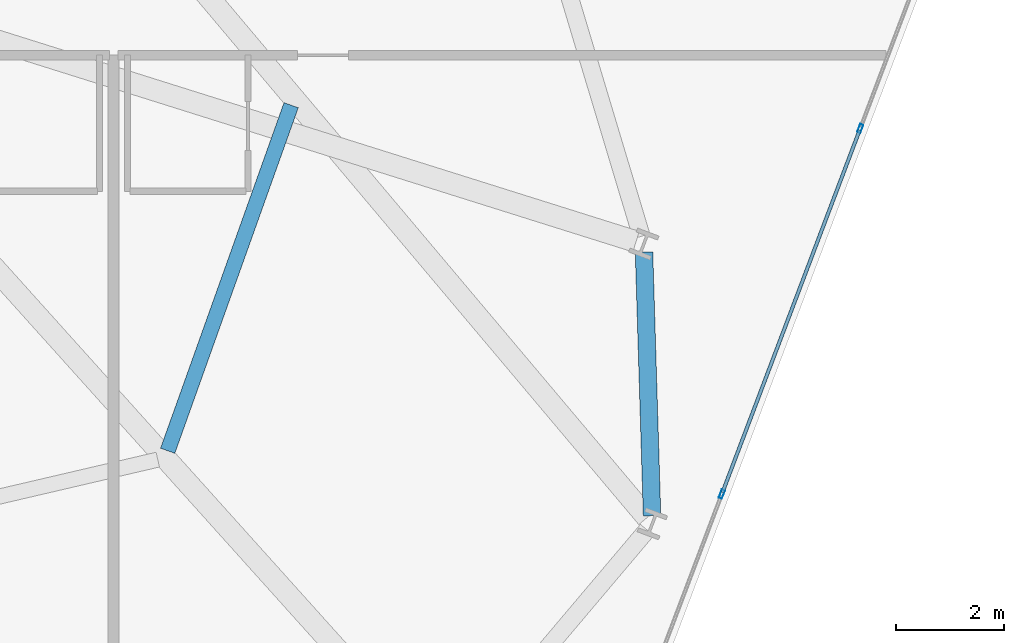
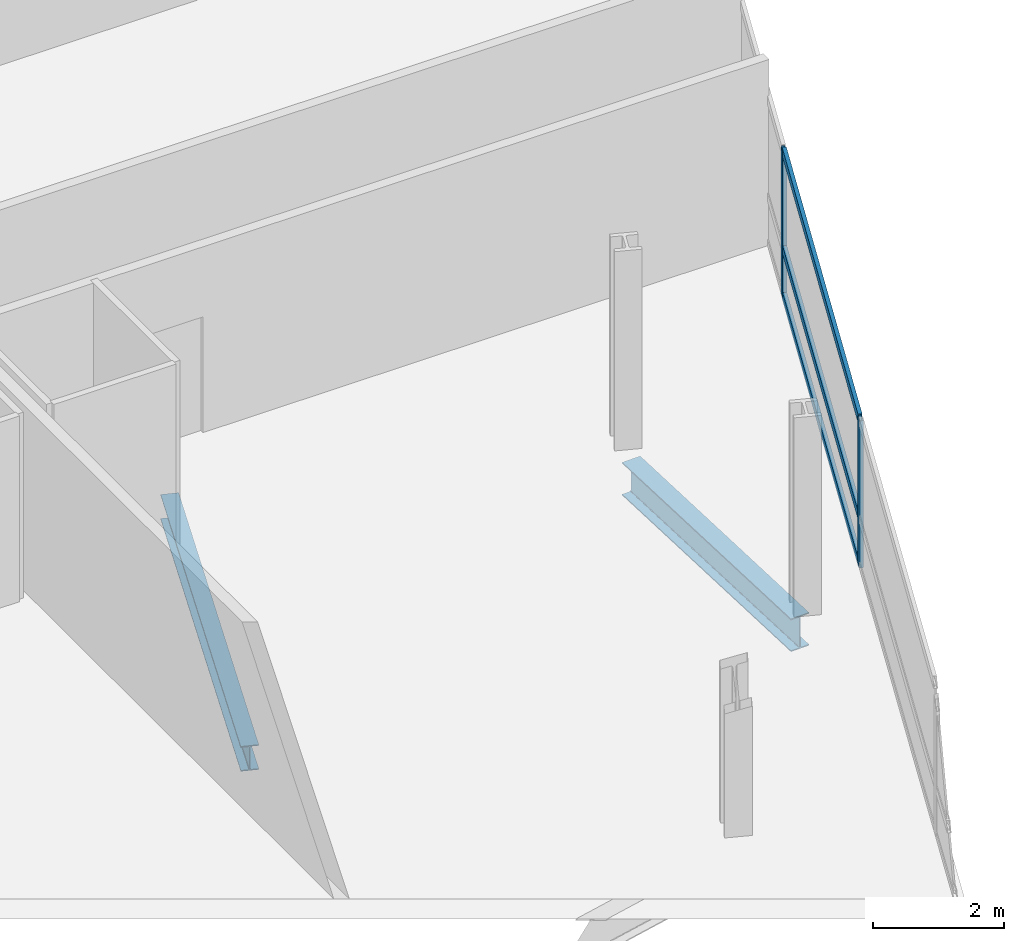
# One storey, part 11 of 25: 5 members, 2 beams, 1 element without a shape of its own.
"""IFC4 building model written with IfcOpenShell, lengths in metres."""

from ifc_helpers import new_model, si_unit, direction, frame, origin, origin_2d, place, context, subcontext, project, spatial, hollow_rectangle, i_section, extrude, material, layer, layer_set, material_profile, profile_set, type_object, element, aggregate, save


model = new_model("IFC4")

# Units and contexts
model_context = context("Model", 3, precision=1e-05, world=origin(), true_north=direction((0.0, 1.0)))
body_context = subcontext(model_context, "Body", "Model", "MODEL_VIEW")
ifc_project = project(units=[si_unit("LENGTHUNIT", "METRE"), si_unit("AREAUNIT", "SQUARE_METRE"), si_unit("VOLUMEUNIT", "CUBIC_METRE"), si_unit("PLANEANGLEUNIT", "RADIAN"), si_unit("MASSUNIT", "GRAM", prefix="KILO")], contexts=[model_context])

# Site, building, storey
site_placement = place(None, origin())
site = spatial("IfcSite", under=ifc_project, at=site_placement, CompositionType="ELEMENT")
building_placement = place(site_placement, origin())
building = spatial("IfcBuilding", under=site, at=building_placement, Name="Varnelok Gate Tower", CompositionType="ELEMENT")
storey_placement = place(building_placement, frame((0.0, 0.0, 83.60009765625)))
storey = spatial("IfcBuildingStorey", under=building, at=storey_placement, Name="L20", CompositionType="ELEMENT", Elevation=83.60009765625)

# Beams
ifc_material_1 = material(Name="Structural Steel ASTM A992 Grade 50", Category="steel")
ifc_material_profile_1 = material_profile(ifc_material_1, i_section(OverallWidth=0.280029296875, OverallDepth=0.462890625, WebThickness=0.0107421875, FlangeThickness=0.017333984375, FilletRadius=0.014892578125, at=origin_2d()), Name="W18X76")
ifc_profile_set_1 = profile_set([ifc_material_profile_1], Name="Structural Steel ASTM A992 Grade 50")
beam_type_1 = type_object("IfcBeamType", Name="BM-JST-W18X76", PredefinedType="JOIST", material=ifc_profile_set_1)
beam_1_placement = place(storey_placement, frame((62.501953125, 9.52490234375, -0.481689453125), z_axis=(0.336427424341, 0.941709396869, 0.0), x_axis=(-0.941709396869, 0.336427424341, 0.0)))
element("IfcBeam", 1, at=beam_1_placement, inside=storey, type_object=beam_type_1, Name="L20 Sector Floor Joist 6", PredefinedType="JOIST", context=body_context, shape_type="SweptSolid", body=[
    extrude(i_section(OverallWidth=0.280029296875, OverallDepth=0.462890625, WebThickness=0.0107421875, FlangeThickness=0.017333984375, FilletRadius=0.014892578125, at=origin_2d()), origin(), (0.0, 0.0, 1.0), 6.796142578125),
])
ifc_material_profile_2 = material_profile(ifc_material_1, i_section(OverallWidth=0.323974609375, OverallDepth=0.611083984375, WebThickness=0.0126953125, FlangeThickness=0.01904296875, FilletRadius=0.01806640625, at=origin_2d()), Name="W24X104")
ifc_profile_set_2 = profile_set([ifc_material_profile_2], Name="Structural Steel ASTM A992 Grade 50")
beam_type_2 = type_object("IfcBeamType", Name="BM-SPN-W24X104", PredefinedType="SPANDREL", material=ifc_profile_set_2)
beam_2_placement = place(storey_placement, frame((71.471923828125, 8.322509765625, -0.5556640625), z_axis=(-0.030393553869, 0.999538009224, 0.0), x_axis=(-0.999538009224, -0.030393553869, 0.0)))
element("IfcBeam", 2, at=beam_2_placement, inside=storey, type_object=beam_type_2, Name="L20 Perimeter Spandrel Beam 7", PredefinedType="SPANDREL", context=body_context, shape_type="SweptSolid", body=[
    extrude(i_section(OverallWidth=0.323974609375, OverallDepth=0.611083984375, WebThickness=0.0126953125, FlangeThickness=0.01904296875, FilletRadius=0.01806640625, at=origin_2d()), origin(), (0.0, 0.0, 1.0), 4.8837890625),
])

# Curtain wall, members
ifc_material_2 = material(Name="Anodized Aluminum Alloy 6063-T6", Category="aluminium")
ifc_layer = layer(ifc_material_2, 0.179931640625)
ifc_layer_set = layer_set([ifc_layer], Name="Anodized Aluminum Alloy 6063-T6")
curtain_wall_type = type_object("IfcCurtainWallType", Name="CW3-HOTEL-VISION", PredefinedType="USERDEFINED", material=ifc_layer_set)
curtain_wall_placement = place(storey_placement, origin())
curtain_wall = element("IfcCurtainWall", 3, at=curtain_wall_placement, inside=storey, type_object=curtain_wall_type, Name="L20 East End Vision Curtain Wall", ObjectType="UNITISED CURTAIN WALL", PredefinedType="USERDEFINED")
ifc_material_profile_3 = material_profile(ifc_material_2, hollow_rectangle(XDim=0.06494140625, YDim=0.159912109375, WallThickness=0.00390625, at=origin_2d()), Name="ALU160X65X4")
ifc_profile_set_3 = profile_set([ifc_material_profile_3], Name="Anodized Aluminum Alloy 6063-T6")
member_type_1 = type_object("IfcMemberType", Name="CW-MULL-160", PredefinedType="MULLION", material=ifc_profile_set_3)
member_1_placement = place(storey_placement, frame((75.328125, 15.4931640625, 0.0), z_axis=(0.0, 0.0, 1.0), x_axis=(0.935221323688, -0.354063660545, 0.0)))
member_1 = element("IfcMember", 4, at=member_1_placement, type_object=member_type_1, Name="CW3 mullion 3", PredefinedType="MULLION", context=body_context, shape_type="SweptSolid", body=[
    extrude(hollow_rectangle(XDim=0.06494140625, YDim=0.159912109375, WallThickness=0.00390625, at=origin_2d()), origin(), (0.0, 0.0, 1.0), 2.72998046875),
])
member_2_placement = place(storey_placement, frame((72.7646484375, 8.72216796875, 0.0), z_axis=(0.0, 0.0, 1.0), x_axis=(0.935221323688, -0.354063660545, 0.0)))
member_2 = element("IfcMember", 5, at=member_2_placement, type_object=member_type_1, Name="CW3 mullion 4", PredefinedType="MULLION", context=body_context, shape_type="SweptSolid", body=[
    extrude(hollow_rectangle(XDim=0.06494140625, YDim=0.159912109375, WallThickness=0.00390625, at=origin_2d()), origin(), (0.0, 0.0, 1.0), 2.72998046875),
])
ifc_material_profile_4 = material_profile(ifc_material_2, hollow_rectangle(XDim=0.06494140625, YDim=0.159912109375, WallThickness=0.00390625, at=origin_2d()), Name="ALU160X65X4")
ifc_profile_set_4 = profile_set([ifc_material_profile_4], Name="Anodized Aluminum Alloy 6063-T6")
member_type_2 = type_object("IfcMemberType", Name="CW-TRAN-160", PredefinedType="USERDEFINED", material=ifc_profile_set_4)
member_3_placement = place(storey_placement, frame((75.316650390625, 15.462646484375, 0.032470703125), z_axis=(-0.354078724634, -0.935215620465, 0.0), x_axis=(0.935215620465, -0.354078724634, 0.0)))
member_3 = element("IfcMember", 6, at=member_3_placement, type_object=member_type_2, Name="CW3 transom 3.1", ObjectType="TRANSOM", PredefinedType="USERDEFINED", context=body_context, shape_type="SweptSolid", body=[
    extrude(hollow_rectangle(XDim=0.06494140625, YDim=0.159912109375, WallThickness=0.00390625, at=origin_2d()), origin(), (0.0, 0.0, 1.0), 7.175048828125),
])
member_4_placement = place(storey_placement, frame((75.316650390625, 15.462646484375, 0.89990234375), z_axis=(-0.354078724634, -0.935215620465, 0.0), x_axis=(0.935215620465, -0.354078724634, 0.0)))
member_4 = element("IfcMember", 7, at=member_4_placement, type_object=member_type_2, Name="CW3 transom 3.2", ObjectType="TRANSOM", PredefinedType="USERDEFINED", context=body_context, shape_type="SweptSolid", body=[
    extrude(hollow_rectangle(XDim=0.06494140625, YDim=0.159912109375, WallThickness=0.00390625, at=origin_2d()), origin(), (0.0, 0.0, 1.0), 7.175048828125),
])
member_5_placement = place(storey_placement, frame((75.316650390625, 15.462646484375, 2.697509765625), z_axis=(-0.354078724634, -0.935215620465, 0.0), x_axis=(0.935215620465, -0.354078724634, 0.0)))
member_5 = element("IfcMember", 8, at=member_5_placement, type_object=member_type_2, Name="CW3 transom 3.3", ObjectType="TRANSOM", PredefinedType="USERDEFINED", context=body_context, shape_type="SweptSolid", body=[
    extrude(hollow_rectangle(XDim=0.06494140625, YDim=0.159912109375, WallThickness=0.00390625, at=origin_2d()), origin(), (0.0, 0.0, 1.0), 7.175048828125),
])
aggregate(curtain_wall, [member_1, member_2, member_3, member_4, member_5])

save(model, "model.ifc")
